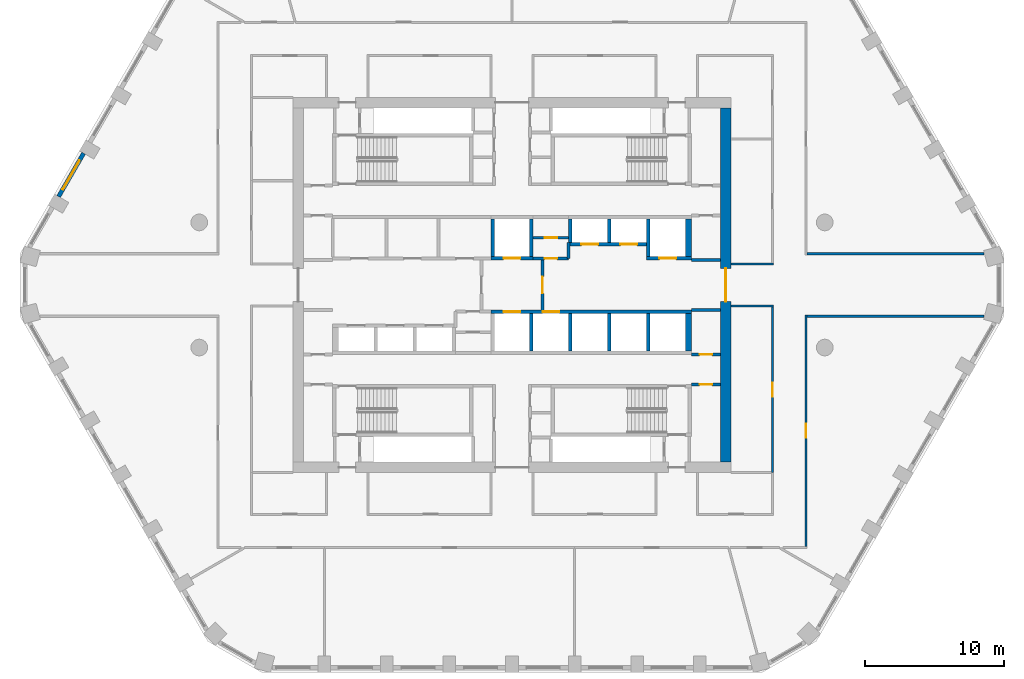
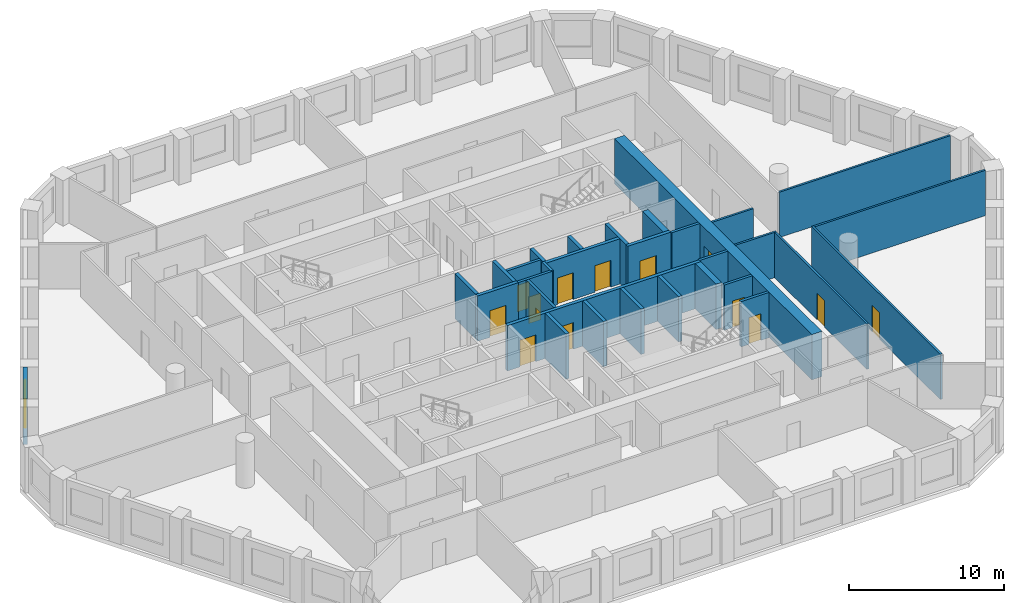
# One storey, part 5 of 10: 31 walls, 14 doors, 1 window, 15 openings.
"""IFC4 building model written with IfcOpenShell, lengths in metres."""

from ifc_helpers import new_model, si_unit, direction, frame, frame_2d, origin, place, context, subcontext, project, spatial, polyline, rectangle, outline, extrude, material, layer, layer_set, type_object, element, fill, save


model = new_model("IFC4")

# Units and contexts
model_context = context("Model", 3, precision=1e-05, world=origin(), true_north=direction((0.0, 1.0)))
body_context = subcontext(model_context, "Body", "Model", "MODEL_VIEW")
ifc_project = project(units=[si_unit("LENGTHUNIT", "METRE"), si_unit("AREAUNIT", "SQUARE_METRE"), si_unit("VOLUMEUNIT", "CUBIC_METRE"), si_unit("PLANEANGLEUNIT", "RADIAN"), si_unit("MASSUNIT", "GRAM", prefix="KILO")], contexts=[model_context])

# Site, building, storey
site_placement = place(None, origin())
site = spatial("IfcSite", under=ifc_project, at=site_placement, CompositionType="ELEMENT")
building_placement = place(site_placement, origin())
building = spatial("IfcBuilding", under=site, at=building_placement, Name="Dhurran Vertical Campus", CompositionType="ELEMENT")
storey_placement = place(building_placement, frame((0.0, 0.0, 144.300048828125)))
storey = spatial("IfcBuildingStorey", under=building, at=storey_placement, Name="L35", CompositionType="ELEMENT", Elevation=144.300048828125)

# Wall, opening, window
ifc_material_1 = material(Name="Precast concrete C50/60", Category="concrete")
ifc_layer_1 = layer(ifc_material_1, 0.300048828125)
ifc_layer_set_1 = layer_set([ifc_layer_1], Name="Precast concrete C50/60")
wall_type_1 = type_object("IfcWallType", Name="Precast spandrel wall 300", PredefinedType="SOLIDWALL", material=ifc_layer_set_1)
wall_1_placement = place(storey_placement, frame((-30.8193359375, 9.47900390625, 0.0), z_axis=(0.0, 0.0, 1.0), x_axis=(-0.500027802648, -0.866009351323, 0.0)))
wall_1 = element("IfcWall", 1, at=wall_1_placement, inside=storey, type_object=wall_type_1, Name="EW1 L35.36", PredefinedType="SOLIDWALL", context=body_context, shape_type="SweptSolid", body=[
    extrude(rectangle(XDim=3.598876953125, YDim=0.300048828125, at=frame_2d((1.79931640625, 0.0))), origin(), (0.0, 0.0, 1.0), 3.574951171875),
])
opening_1_placement = place(wall_1_placement, frame((0.599609375, 0.0, 0.89990234375)))
opening_1 = element("IfcOpeningElement", 2, at=opening_1_placement, cuts=wall_1, Name="Opening WT1", PredefinedType="OPENING", context=body_context, shape_type="SweptSolid", body=[
    extrude(rectangle(XDim=2.39990234375, YDim=2.10009765625, at=frame_2d((1.199951171875, 1.050048828125))), frame((0.0, 0.159912109375, 0.0), z_axis=(0.0, -1.0, 0.0), x_axis=(1.0, 0.0, 0.0)), (0.0, 0.0, 1.0), 0.320068359375),
])
ifc_material_2 = material(Name="Aluminium frame with solar-control glass", Category="aluminium")
window_type = type_object("IfcWindowType", Name="Punched window 2400 x 2100", PartitioningType="SINGLE_PANEL", PredefinedType="WINDOW", material=ifc_material_2)
window_placement = place(opening_1_placement, origin())
window = element("IfcWindow", 3, at=window_placement, inside=storey, type_object=window_type, Name="WT1 L35.36", OverallHeight=2.10009765625, OverallWidth=2.39990234375, PartitioningType="SINGLE_PANEL", PredefinedType="WINDOW", context=body_context, shape_type="SweptSolid", body=[
    extrude(rectangle(XDim=2.39990234375, YDim=2.10009765625, at=frame_2d((1.199951171875, 1.050048828125))), frame((0.0, 0.030029296875, 0.0), z_axis=(0.0, -1.0, 0.0), x_axis=(1.0, 0.0, 0.0)), (0.0, 0.0, 1.0), 0.06005859375),
])
fill(opening_1, window)

# Wall, opening, door
ifc_material_3 = material(Name="Concrete C60/75", Category="concrete")
ifc_layer_2 = layer(ifc_material_3, 0.75)
ifc_layer_set_2 = layer_set([ifc_layer_2], Name="Concrete C60/75")
wall_type_2 = type_object("IfcWallType", Name="co-CORE-WALL-C1-750", PredefinedType="SHEAR", material=ifc_layer_set_2)
wall_2_placement = place(storey_placement, frame((15.375, -12.75, 0.0), z_axis=(0.0, 0.0, 1.0), x_axis=(0.0, 1.0, 0.0)))
wall_2 = element("IfcWall", 4, at=wall_2_placement, inside=storey, type_object=wall_type_2, Name="Core wall E L35", PredefinedType="SHEAR", context=body_context, shape_type="SweptSolid", body=[
    extrude(rectangle(XDim=25.5, YDim=0.75, at=frame_2d((12.75, 0.0))), origin(), (0.0, 0.0, 1.0), 3.574951171875),
])
opening_2_placement = place(wall_2_placement, frame((11.550048828125, 0.0, 0.0)))
opening_2 = element("IfcOpeningElement", 5, at=opening_2_placement, cuts=wall_2, Name="Opening CL2", PredefinedType="OPENING", context=body_context, shape_type="SweptSolid", body=[
    extrude(rectangle(XDim=2.39990234375, YDim=2.10009765625, at=frame_2d((1.199951171875, 1.050048828125))), frame((0.0, 0.385009765625, 0.0), z_axis=(0.0, -1.0, 0.0), x_axis=(1.0, 0.0, 0.0)), (0.0, 0.0, 1.0), 0.77001953125),
])
ifc_material_4 = material(Name="Fire-rated glazed door set")
door_type_1 = type_object("IfcDoorType", Name="co-D-LOBBY 2400x2100", OperationType="DOUBLE_DOOR_DOUBLE_SWING", PredefinedType="DOOR", material=ifc_material_4)
door_1_placement = place(opening_2_placement, origin())
door_1 = element("IfcDoor", 6, at=door_1_placement, inside=storey, type_object=door_type_1, Name="Lift lobby door E L35", OperationType="DOUBLE_DOOR_DOUBLE_SWING", OverallHeight=2.10009765625, OverallWidth=2.39990234375, PredefinedType="DOOR", context=body_context, shape_type="SweptSolid", body=[
    extrude(rectangle(XDim=2.39990234375, YDim=2.10009765625, at=frame_2d((1.199951171875, 1.050048828125))), frame((0.0, 0.02490234375, 0.0), z_axis=(0.0, -1.0, 0.0), x_axis=(1.0, 0.0, 0.0)), (0.0, 0.0, 1.0), 0.050048828125),
])
fill(opening_2, door_1)

ifc_material_5 = material(Name="Fire-rated masonry blockwork", Category="masonry")
ifc_layer_3 = layer(ifc_material_5, 0.199951171875)
ifc_layer_set_3 = layer_set([ifc_layer_3], Name="Fire-rated masonry blockwork")
wall_type_3 = type_object("IfcWallType", Name="co-FIRE-PARTITION-200", PredefinedType="PARTITIONING", material=ifc_layer_set_3)
wall_3_placement = place(storey_placement, frame((2.199951171875, -1.800048828125, 0.0), z_axis=(0.0, 0.0, 1.0), x_axis=(0.0, 1.0, 0.0)))
wall_3 = element("IfcWall", 7, at=wall_3_placement, inside=storey, type_object=wall_type_3, Name="Firefighting lobby wall E L35", PredefinedType="PARTITIONING", context=body_context, shape_type="SweptSolid", body=[
    extrude(rectangle(XDim=3.60009765625, YDim=0.199951171875, at=frame_2d((1.800048828125, 0.0))), origin(), (0.0, 0.0, 1.0), 3.574951171875),
])
opening_3_placement = place(wall_3_placement, frame((1.199951171875, 0.0, 0.0)))
opening_3 = element("IfcOpeningElement", 8, at=opening_3_placement, cuts=wall_3, Name="Opening FL2", PredefinedType="OPENING", context=body_context, shape_type="SweptSolid", body=[
    extrude(rectangle(XDim=1.199951171875, YDim=2.10009765625, at=frame_2d((0.60009765625, 1.050048828125))), frame((0.0, 0.10986328125, 0.0), z_axis=(0.0, -1.0, 0.0), x_axis=(1.0, 0.0, 0.0)), (0.0, 0.0, 1.0), 0.219970703125),
])
ifc_material_6 = material(Name="Fire-rated steel door set", Category="steel")
door_type_2 = type_object("IfcDoorType", Name="co-D-FFLOBBY 1200x2100", OperationType="SINGLE_SWING_LEFT", PredefinedType="DOOR", material=ifc_material_6)
door_2_placement = place(opening_3_placement, origin())
door_2 = element("IfcDoor", 9, at=door_2_placement, inside=storey, type_object=door_type_2, Name="Firefighting lobby door E L35", OperationType="SINGLE_SWING_LEFT", OverallHeight=2.10009765625, OverallWidth=1.199951171875, PredefinedType="DOOR", context=body_context, shape_type="SweptSolid", body=[
    extrude(rectangle(XDim=1.199951171875, YDim=2.10009765625, at=frame_2d((0.60009765625, 1.050048828125))), frame((0.0, 0.02490234375, 0.0), z_axis=(0.0, -1.0, 0.0), x_axis=(1.0, 0.0, 0.0)), (0.0, 0.0, 1.0), 0.050048828125),
])
fill(opening_3, door_2)

# Wall
wall_4_placement = place(storey_placement, frame((12.89990234375, 1.800048828125, 0.0), z_axis=(0.0, 0.0, 1.0), x_axis=(1.0, 0.0, 0.0)))
element("IfcWall", 10, at=wall_4_placement, inside=storey, type_object=wall_type_3, Name="Core partition es-NE-l L35", PredefinedType="PARTITIONING", context=body_context, shape_type="SweptSolid", body=[
    extrude(rectangle(XDim=2.10009765625, YDim=0.199951171875, at=frame_2d((1.050048828125, 0.0))), origin(), (0.0, 0.0, 1.0), 3.574951171875),
])

# Wall, opening, door
wall_5_placement = place(storey_placement, frame((12.89990234375, -7.14990234375, 0.0), z_axis=(0.0, 0.0, 1.0), x_axis=(1.0, 0.0, 0.0)))
wall_5 = element("IfcWall", 11, at=wall_5_placement, inside=storey, type_object=wall_type_3, Name="Core partition en-SE-w L35", PredefinedType="PARTITIONING", context=body_context, shape_type="SweptSolid", body=[
    extrude(rectangle(XDim=2.10009765625, YDim=0.199951171875, at=frame_2d((1.050048828125, 0.0))), origin(), (0.0, 0.0, 1.0), 3.574951171875),
])
opening_4_placement = place(wall_5_placement, frame((0.60009765625, 0.0, 0.0)))
opening_4 = element("IfcOpeningElement", 12, at=opening_4_placement, cuts=wall_5, Name="Opening T10-C21", PredefinedType="OPENING", context=body_context, shape_type="SweptSolid", body=[
    extrude(rectangle(XDim=0.89990234375, YDim=2.10009765625, at=frame_2d((0.449951171875, 1.050048828125))), frame((0.0, 0.10986328125, 0.0), z_axis=(0.0, -1.0, 0.0), x_axis=(1.0, 0.0, 0.0)), (0.0, 0.0, 1.0), 0.219970703125),
])
ifc_material_7 = material(Name="Fire-rated timber door set", Category="wood")
door_type_3 = type_object("IfcDoorType", Name="co-D-ROOM 900x2100", OperationType="SINGLE_SWING_LEFT", PredefinedType="DOOR", material=ifc_material_7)
door_3_placement = place(opening_4_placement, origin())
door_3 = element("IfcDoor", 13, at=door_3_placement, inside=storey, type_object=door_type_3, Name="Plant room door L35", OperationType="SINGLE_SWING_LEFT", OverallHeight=2.10009765625, OverallWidth=0.89990234375, PredefinedType="DOOR", context=body_context, shape_type="SweptSolid", body=[
    extrude(rectangle(XDim=0.89990234375, YDim=2.10009765625, at=frame_2d((0.449951171875, 1.050048828125))), frame((0.0, 0.02490234375, 0.0), z_axis=(0.0, -1.0, 0.0), x_axis=(1.0, 0.0, 0.0)), (0.0, 0.0, 1.0), 0.050048828125),
])
fill(opening_4, door_3)

wall_6_placement = place(storey_placement, frame((12.89990234375, -5.0, 0.0), z_axis=(0.0, 0.0, 1.0), x_axis=(1.0, 0.0, 0.0)))
wall_6 = element("IfcWall", 14, at=wall_6_placement, inside=storey, type_object=wall_type_3, Name="Core partition es-SE-w L35", PredefinedType="PARTITIONING", context=body_context, shape_type="SweptSolid", body=[
    extrude(rectangle(XDim=2.10009765625, YDim=0.199951171875, at=frame_2d((1.050048828125, 0.0))), origin(), (0.0, 0.0, 1.0), 3.574951171875),
])
opening_5_placement = place(wall_6_placement, frame((0.60009765625, 0.0, 0.0)))
opening_5 = element("IfcOpeningElement", 15, at=opening_5_placement, cuts=wall_6, Name="Opening T10-C22", PredefinedType="OPENING", context=body_context, shape_type="SweptSolid", body=[
    extrude(rectangle(XDim=0.89990234375, YDim=2.10009765625, at=frame_2d((0.449951171875, 1.050048828125))), frame((0.0, 0.10986328125, 0.0), z_axis=(0.0, -1.0, 0.0), x_axis=(1.0, 0.0, 0.0)), (0.0, 0.0, 1.0), 0.219970703125),
])
door_4_placement = place(opening_5_placement, origin())
door_4 = element("IfcDoor", 16, at=door_4_placement, inside=storey, type_object=door_type_3, Name="Print room door L35", OperationType="SINGLE_SWING_LEFT", OverallHeight=2.10009765625, OverallWidth=0.89990234375, PredefinedType="DOOR", context=body_context, shape_type="SweptSolid", body=[
    extrude(rectangle(XDim=0.89990234375, YDim=2.10009765625, at=frame_2d((0.449951171875, 1.050048828125))), frame((0.0, 0.02490234375, 0.0), z_axis=(0.0, -1.0, 0.0), x_axis=(1.0, 0.0, 0.0)), (0.0, 0.0, 1.0), 0.050048828125),
])
fill(opening_5, door_4)

# Wall
wall_7_placement = place(storey_placement, frame((12.89990234375, -1.800048828125, 0.0), z_axis=(0.0, 0.0, 1.0), x_axis=(1.0, 0.0, 0.0)))
element("IfcWall", 17, at=wall_7_placement, inside=storey, type_object=wall_type_3, Name="Core partition es-SE-l L35", PredefinedType="PARTITIONING", context=body_context, shape_type="SweptSolid", body=[
    extrude(rectangle(XDim=2.10009765625, YDim=0.199951171875, at=frame_2d((1.050048828125, 0.0))), origin(), (0.0, 0.0, 1.0), 3.574951171875),
])

# Wall, opening, door
wall_8_placement = place(storey_placement, frame((1.52490234375, 3.39990234375, 0.0), z_axis=(0.0, 0.0, 1.0), x_axis=(1.0, 0.0, 0.0)))
wall_8 = element("IfcWall", 18, at=wall_8_placement, inside=storey, type_object=wall_type_3, Name="Core partition fr-N1-c L35", PredefinedType="PARTITIONING", context=body_context, shape_type="SweptSolid", body=[
    extrude(rectangle(XDim=2.550048828125, YDim=0.199951171875, at=frame_2d((1.27490234375, 0.0))), origin(), (0.0, 0.0, 1.0), 3.574951171875),
])
opening_6_placement = place(wall_8_placement, frame((0.824951171875, 0.0, 0.0)))
opening_6 = element("IfcOpeningElement", 19, at=opening_6_placement, cuts=wall_8, Name="Opening T10-C26", PredefinedType="OPENING", context=body_context, shape_type="SweptSolid", body=[
    extrude(rectangle(XDim=0.89990234375, YDim=2.10009765625, at=frame_2d((0.449951171875, 1.050048828125))), frame((0.0, 0.10986328125, 0.0), z_axis=(0.0, -1.0, 0.0), x_axis=(1.0, 0.0, 0.0)), (0.0, 0.0, 1.0), 0.219970703125),
])
door_5_placement = place(opening_6_placement, origin())
door_5 = element("IfcDoor", 20, at=door_5_placement, inside=storey, type_object=door_type_3, Name="Housekeeping store door L35", OperationType="SINGLE_SWING_LEFT", OverallHeight=2.10009765625, OverallWidth=0.89990234375, PredefinedType="DOOR", context=body_context, shape_type="SweptSolid", body=[
    extrude(rectangle(XDim=0.89990234375, YDim=2.10009765625, at=frame_2d((0.449951171875, 1.050048828125))), frame((0.0, 0.02490234375, 0.0), z_axis=(0.0, -1.0, 0.0), x_axis=(1.0, 0.0, 0.0)), (0.0, 0.0, 1.0), 0.050048828125),
])
fill(opening_6, door_5)

wall_9_placement = place(storey_placement, frame((1.52490234375, 1.89990234375, 0.0), z_axis=(0.0, 0.0, 1.0), x_axis=(1.0, 0.0, 0.0)))
wall_9 = element("IfcWall", 21, at=wall_9_placement, inside=storey, type_object=wall_type_3, Name="Core partition fr-N1-f L35", PredefinedType="PARTITIONING", context=body_context, shape_type="SweptSolid", body=[
    extrude(rectangle(XDim=2.550048828125, YDim=0.199951171875, at=frame_2d((1.27490234375, 0.0))), origin(), (0.0, 0.0, 1.0), 3.574951171875),
])
opening_7_placement = place(wall_9_placement, frame((0.824951171875, 0.0, 0.0)))
opening_7 = element("IfcOpeningElement", 22, at=opening_7_placement, cuts=wall_9, Name="Opening T10-C27", PredefinedType="OPENING", context=body_context, shape_type="SweptSolid", body=[
    extrude(rectangle(XDim=0.89990234375, YDim=2.10009765625, at=frame_2d((0.449951171875, 1.050048828125))), frame((0.0, 0.10986328125, 0.0), z_axis=(0.0, -1.0, 0.0), x_axis=(1.0, 0.0, 0.0)), (0.0, 0.0, 1.0), 0.219970703125),
])
door_6_placement = place(opening_7_placement, origin())
door_6 = element("IfcDoor", 23, at=door_6_placement, inside=storey, type_object=door_type_3, Name="Pantry door L35", OperationType="SINGLE_SWING_LEFT", OverallHeight=2.10009765625, OverallWidth=0.89990234375, PredefinedType="DOOR", context=body_context, shape_type="SweptSolid", body=[
    extrude(rectangle(XDim=0.89990234375, YDim=2.10009765625, at=frame_2d((0.449951171875, 1.050048828125))), frame((0.0, 0.02490234375, 0.0), z_axis=(0.0, -1.0, 0.0), x_axis=(1.0, 0.0, 0.0)), (0.0, 0.0, 1.0), 0.050048828125),
])
fill(opening_7, door_6)

# Wall
wall_10_placement = place(storey_placement, frame((4.074951171875, 1.89990234375, 0.0), z_axis=(0.0, 0.0, 1.0), x_axis=(0.0, 1.0, 0.0)))
element("IfcWall", 24, at=wall_10_placement, inside=storey, type_object=wall_type_3, Name="Core partition fr-N1-n1 L35", PredefinedType="PARTITIONING", context=body_context, shape_type="SweptSolid", body=[
    extrude(rectangle(XDim=1.150146484375, YDim=0.199951171875, at=frame_2d((0.5751953125, 0.0))), origin(), (0.0, 0.0, 1.0), 3.574951171875),
])

# Wall, opening, door
ifc_material_8 = material(Name="Concrete C50/60", Category="concrete")
ifc_layer_4 = layer(ifc_material_8, 0.25)
ifc_layer_set_4 = layer_set([ifc_layer_4], Name="Concrete C50/60")
wall_type_4 = type_object("IfcWallType", Name="co-SHAFT-FRONT-250", PredefinedType="SHEAR", material=ifc_layer_set_4)
wall_11_placement = place(storey_placement, frame((-1.52490234375, 1.925048828125, 0.0), z_axis=(0.0, 0.0, 1.0), x_axis=(1.0, 0.0, 0.0)))
wall_11 = element("IfcWall", 25, at=wall_11_placement, inside=storey, type_object=wall_type_4, Name="Lift landing wall N L35", PredefinedType="SHEAR", context=body_context, shape_type="SweptSolid", body=[
    extrude(rectangle(XDim=3.0498046875, YDim=0.25, at=frame_2d((1.52490234375, 0.0))), origin(), (0.0, 0.0, 1.0), 3.574951171875),
])
opening_8_placement = place(wall_11_placement, frame((0.925048828125, 0.0, 0.0)))
opening_8 = element("IfcOpeningElement", 26, at=opening_8_placement, cuts=wall_11, Name="Opening LD", PredefinedType="OPENING", context=body_context, shape_type="SweptSolid", body=[
    extrude(rectangle(XDim=1.199951171875, YDim=2.10009765625, at=frame_2d((0.60009765625, 1.050048828125))), frame((0.0, 0.135009765625, 0.0), z_axis=(0.0, -1.0, 0.0), x_axis=(1.0, 0.0, 0.0)), (0.0, 0.0, 1.0), 0.27001953125),
])
ifc_material_9 = material(Name="Stainless steel landing door", Category="steel")
door_type_4 = type_object("IfcDoorType", Name="co-D-LANDING 1200x2100", OperationType="DOUBLE_DOOR_SLIDING", PredefinedType="DOOR", material=ifc_material_9)
door_7_placement = place(opening_8_placement, origin())
door_7 = element("IfcDoor", 27, at=door_7_placement, inside=storey, type_object=door_type_4, Name="Landing door FF1 L35", OperationType="DOUBLE_DOOR_SLIDING", OverallHeight=2.10009765625, OverallWidth=1.199951171875, PredefinedType="DOOR", context=body_context, shape_type="SweptSolid", body=[
    extrude(rectangle(XDim=1.199951171875, YDim=2.10009765625, at=frame_2d((0.60009765625, 1.050048828125))), frame((0.0, 0.02490234375, 0.0), z_axis=(0.0, -1.0, 0.0), x_axis=(1.0, 0.0, 0.0)), (0.0, 0.0, 1.0), 0.050048828125),
])
fill(opening_8, door_7)

# Wall, openings, doors
wall_12_placement = place(storey_placement, frame((4.074951171875, 2.925048828125, 0.0), z_axis=(0.0, 0.0, 1.0), x_axis=(1.0, 0.0, 0.0)))
wall_12 = element("IfcWall", 28, at=wall_12_placement, inside=storey, type_object=wall_type_4, Name="Lift landing wall N L35", PredefinedType="SHEAR", context=body_context, shape_type="SweptSolid", body=[
    extrude(rectangle(XDim=5.85009765625, YDim=0.25, at=frame_2d((2.925048828125, 0.0))), origin(), (0.0, 0.0, 1.0), 3.574951171875),
])
opening_9_placement = place(wall_12_placement, frame((0.925048828125, 0.0, 0.0)))
opening_9 = element("IfcOpeningElement", 29, at=opening_9_placement, cuts=wall_12, Name="Opening LD", PredefinedType="OPENING", context=body_context, shape_type="SweptSolid", body=[
    extrude(rectangle(XDim=1.199951171875, YDim=2.10009765625, at=frame_2d((0.60009765625, 1.050048828125))), frame((0.0, 0.135009765625, 0.0), z_axis=(0.0, -1.0, 0.0), x_axis=(1.0, 0.0, 0.0)), (0.0, 0.0, 1.0), 0.27001953125),
])
opening_10_placement = place(wall_12_placement, frame((3.72509765625, 0.0, 0.0)))
opening_10 = element("IfcOpeningElement", 30, at=opening_10_placement, cuts=wall_12, Name="Opening LD", PredefinedType="OPENING", context=body_context, shape_type="SweptSolid", body=[
    extrude(rectangle(XDim=1.199951171875, YDim=2.10009765625, at=frame_2d((0.60009765625, 1.050048828125))), frame((0.0, 0.135009765625, 0.0), z_axis=(0.0, -1.0, 0.0), x_axis=(1.0, 0.0, 0.0)), (0.0, 0.0, 1.0), 0.27001953125),
])
door_8_placement = place(opening_9_placement, origin())
door_8 = element("IfcDoor", 31, at=door_8_placement, inside=storey, type_object=door_type_4, Name="Landing door MR1 L35", OperationType="DOUBLE_DOOR_SLIDING", OverallHeight=2.10009765625, OverallWidth=1.199951171875, PredefinedType="DOOR", context=body_context, shape_type="SweptSolid", body=[
    extrude(rectangle(XDim=1.199951171875, YDim=2.10009765625, at=frame_2d((0.60009765625, 1.050048828125))), frame((0.0, 0.02490234375, 0.0), z_axis=(0.0, -1.0, 0.0), x_axis=(1.0, 0.0, 0.0)), (0.0, 0.0, 1.0), 0.050048828125),
])
fill(opening_9, door_8)
door_9_placement = place(opening_10_placement, origin())
door_9 = element("IfcDoor", 32, at=door_9_placement, inside=storey, type_object=door_type_4, Name="Landing door MR2 L35", OperationType="DOUBLE_DOOR_SLIDING", OverallHeight=2.10009765625, OverallWidth=1.199951171875, PredefinedType="DOOR", context=body_context, shape_type="SweptSolid", body=[
    extrude(rectangle(XDim=1.199951171875, YDim=2.10009765625, at=frame_2d((0.60009765625, 1.050048828125))), frame((0.0, 0.02490234375, 0.0), z_axis=(0.0, -1.0, 0.0), x_axis=(1.0, 0.0, 0.0)), (0.0, 0.0, 1.0), 0.050048828125),
])
fill(opening_10, door_9)

# Wall, opening, door
wall_13_placement = place(storey_placement, frame((9.675048828125, 1.925048828125, 0.0), z_axis=(0.0, 0.0, 1.0), x_axis=(1.0, 0.0, 0.0)))
wall_13 = element("IfcWall", 33, at=wall_13_placement, inside=storey, type_object=wall_type_4, Name="Lift landing wall N L35", PredefinedType="SHEAR", context=body_context, shape_type="SweptSolid", body=[
    extrude(rectangle(XDim=3.224853515625, YDim=0.25, at=frame_2d((1.6123046875, 0.0))), origin(), (0.0, 0.0, 1.0), 3.574951171875),
])
opening_11_placement = place(wall_13_placement, frame((0.925048828125, 0.0, 0.0)))
opening_11 = element("IfcOpeningElement", 34, at=opening_11_placement, cuts=wall_13, Name="Opening LD", PredefinedType="OPENING", context=body_context, shape_type="SweptSolid", body=[
    extrude(rectangle(XDim=1.199951171875, YDim=2.10009765625, at=frame_2d((0.60009765625, 1.050048828125))), frame((0.0, 0.135009765625, 0.0), z_axis=(0.0, -1.0, 0.0), x_axis=(1.0, 0.0, 0.0)), (0.0, 0.0, 1.0), 0.27001953125),
])
door_10_placement = place(opening_11_placement, origin())
door_10 = element("IfcDoor", 35, at=door_10_placement, inside=storey, type_object=door_type_4, Name="Landing door SV2 L35", OperationType="DOUBLE_DOOR_SLIDING", OverallHeight=2.10009765625, OverallWidth=1.199951171875, PredefinedType="DOOR", context=body_context, shape_type="SweptSolid", body=[
    extrude(rectangle(XDim=1.199951171875, YDim=2.10009765625, at=frame_2d((0.60009765625, 1.050048828125))), frame((0.0, 0.02490234375, 0.0), z_axis=(0.0, -1.0, 0.0), x_axis=(1.0, 0.0, 0.0)), (0.0, 0.0, 1.0), 0.050048828125),
])
fill(opening_11, door_10)

# Wall, openings, doors
wall_14_placement = place(storey_placement, frame((-1.52490234375, -1.925048828125, 0.0), z_axis=(0.0, 0.0, 1.0), x_axis=(1.0, 0.0, 0.0)))
wall_14 = element("IfcWall", 36, at=wall_14_placement, inside=storey, type_object=wall_type_4, Name="Lift landing wall S L35", PredefinedType="SHEAR", context=body_context, shape_type="SweptSolid", body=[
    extrude(rectangle(XDim=14.4248046875, YDim=0.25, at=frame_2d((7.21240234375, 0.0))), origin(), (0.0, 0.0, 1.0), 3.574951171875),
])
opening_12_placement = place(wall_14_placement, frame((0.925048828125, 0.0, 0.0)))
opening_12 = element("IfcOpeningElement", 37, at=opening_12_placement, cuts=wall_14, Name="Opening LD", PredefinedType="OPENING", context=body_context, shape_type="SweptSolid", body=[
    extrude(rectangle(XDim=1.199951171875, YDim=2.10009765625, at=frame_2d((0.60009765625, 1.050048828125))), frame((0.0, 0.135009765625, 0.0), z_axis=(0.0, -1.0, 0.0), x_axis=(1.0, 0.0, 0.0)), (0.0, 0.0, 1.0), 0.27001953125),
])
opening_13_placement = place(wall_14_placement, frame((3.72509765625, 0.0, 0.0)))
opening_13 = element("IfcOpeningElement", 38, at=opening_13_placement, cuts=wall_14, Name="Opening LD", PredefinedType="OPENING", context=body_context, shape_type="SweptSolid", body=[
    extrude(rectangle(XDim=1.199951171875, YDim=2.10009765625, at=frame_2d((0.60009765625, 1.050048828125))), frame((0.0, 0.135009765625, 0.0), z_axis=(0.0, -1.0, 0.0), x_axis=(1.0, 0.0, 0.0)), (0.0, 0.0, 1.0), 0.27001953125),
])
door_11_placement = place(opening_12_placement, origin())
door_11 = element("IfcDoor", 39, at=door_11_placement, inside=storey, type_object=door_type_4, Name="Landing door FF2 L35", OperationType="DOUBLE_DOOR_SLIDING", OverallHeight=2.10009765625, OverallWidth=1.199951171875, PredefinedType="DOOR", context=body_context, shape_type="SweptSolid", body=[
    extrude(rectangle(XDim=1.199951171875, YDim=2.10009765625, at=frame_2d((0.60009765625, 1.050048828125))), frame((0.0, 0.02490234375, 0.0), z_axis=(0.0, -1.0, 0.0), x_axis=(1.0, 0.0, 0.0)), (0.0, 0.0, 1.0), 0.050048828125),
])
fill(opening_12, door_11)
door_12_placement = place(opening_13_placement, origin())
door_12 = element("IfcDoor", 40, at=door_12_placement, inside=storey, type_object=door_type_4, Name="Landing door SV1 L35", OperationType="DOUBLE_DOOR_SLIDING", OverallHeight=2.10009765625, OverallWidth=1.199951171875, PredefinedType="DOOR", context=body_context, shape_type="SweptSolid", body=[
    extrude(rectangle(XDim=1.199951171875, YDim=2.10009765625, at=frame_2d((0.60009765625, 1.050048828125))), frame((0.0, 0.02490234375, 0.0), z_axis=(0.0, -1.0, 0.0), x_axis=(1.0, 0.0, 0.0)), (0.0, 0.0, 1.0), 0.050048828125),
])
fill(opening_13, door_12)

# Walls
ifc_material_10 = material(Name="Concrete C50/60", Category="concrete")
ifc_layer_5 = layer(ifc_material_10, 0.25)
ifc_layer_set_5 = layer_set([ifc_layer_5], Name="Concrete C50/60")
wall_type_5 = type_object("IfcWallType", Name="co-SHAFT-MASS-250", PredefinedType="SHEAR", material=ifc_layer_set_5)
wall_15_placement = place(storey_placement, origin())
element("IfcWall", 41, at=wall_15_placement, inside=storey, type_object=wall_type_5, Name="Lift shaft wall N L35 3", PredefinedType="SHEAR", context=body_context, shape_type="SweptSolid", body=[
    extrude(outline(polyline([(-1.52490234375, 2.050048828125), (-1.27490234375, 2.050048828125), (-1.27490234375, 4.75), (-1.52490234375, 4.75), (-1.52490234375, 2.050048828125)])), origin(), (0.0, 0.0, 1.0), 3.574951171875),
])
wall_16_placement = place(storey_placement, origin())
element("IfcWall", 42, at=wall_16_placement, inside=storey, type_object=wall_type_5, Name="Lift shaft wall N L35 4", PredefinedType="SHEAR", context=body_context, shape_type="SweptSolid", body=[
    extrude(outline(polyline([(1.27490234375, 2.050048828125), (1.52490234375, 2.050048828125), (1.52490234375, 4.75), (1.27490234375, 4.75), (1.27490234375, 2.050048828125)])), origin(), (0.0, 0.0, 1.0), 3.574951171875),
])
wall_17_placement = place(storey_placement, origin())
element("IfcWall", 43, at=wall_17_placement, inside=storey, type_object=wall_type_5, Name="Lift shaft wall N L35 5", PredefinedType="SHEAR", context=body_context, shape_type="SweptSolid", body=[
    extrude(outline(polyline([(9.675048828125, 2.050048828125), (9.925048828125, 2.050048828125), (9.925048828125, 4.75), (9.675048828125, 4.75), (9.675048828125, 2.050048828125)])), origin(), (0.0, 0.0, 1.0), 3.574951171875),
])
wall_18_placement = place(storey_placement, origin())
element("IfcWall", 44, at=wall_18_placement, inside=storey, type_object=wall_type_5, Name="Lift shaft wall N L35 6", PredefinedType="SHEAR", context=body_context, shape_type="SweptSolid", body=[
    extrude(outline(polyline([(12.47509765625, 2.050048828125), (12.89990234375, 2.050048828125), (12.89990234375, 4.75), (12.47509765625, 4.75), (12.47509765625, 2.050048828125)])), origin(), (0.0, 0.0, 1.0), 3.574951171875),
])
wall_19_placement = place(storey_placement, origin())
element("IfcWall", 45, at=wall_19_placement, inside=storey, type_object=wall_type_5, Name="Lift shaft wall N L35 7", PredefinedType="SHEAR", context=body_context, shape_type="SweptSolid", body=[
    extrude(outline(polyline([(4.074951171875, 3.050048828125), (4.324951171875, 3.050048828125), (4.324951171875, 4.75), (4.074951171875, 4.75), (4.074951171875, 3.050048828125)])), origin(), (0.0, 0.0, 1.0), 3.574951171875),
])
wall_20_placement = place(storey_placement, origin())
element("IfcWall", 46, at=wall_20_placement, inside=storey, type_object=wall_type_5, Name="Lift shaft wall N L35 8", PredefinedType="SHEAR", context=body_context, shape_type="SweptSolid", body=[
    extrude(outline(polyline([(6.875, 3.050048828125), (7.125, 3.050048828125), (7.125, 4.75), (6.875, 4.75), (6.875, 3.050048828125)])), origin(), (0.0, 0.0, 1.0), 3.574951171875),
])
wall_21_placement = place(storey_placement, origin())
element("IfcWall", 47, at=wall_21_placement, inside=storey, type_object=wall_type_5, Name="Lift shaft wall S L35 8", PredefinedType="SHEAR", context=body_context, shape_type="SweptSolid", body=[
    extrude(outline(polyline([(1.27490234375, -4.75), (1.52490234375, -4.75), (1.52490234375, -2.050048828125), (1.27490234375, -2.050048828125), (1.27490234375, -4.75)])), origin(), (0.0, 0.0, 1.0), 3.574951171875),
])
wall_22_placement = place(storey_placement, origin())
element("IfcWall", 48, at=wall_22_placement, inside=storey, type_object=wall_type_5, Name="Lift shaft wall S L35 9", PredefinedType="SHEAR", context=body_context, shape_type="SweptSolid", body=[
    extrude(outline(polyline([(4.074951171875, -4.75), (4.324951171875, -4.75), (4.324951171875, -2.050048828125), (4.074951171875, -2.050048828125), (4.074951171875, -4.75)])), origin(), (0.0, 0.0, 1.0), 3.574951171875),
])
wall_23_placement = place(storey_placement, origin())
element("IfcWall", 49, at=wall_23_placement, inside=storey, type_object=wall_type_5, Name="Lift shaft wall S L35 10", PredefinedType="SHEAR", context=body_context, shape_type="SweptSolid", body=[
    extrude(outline(polyline([(6.875, -4.75), (7.125, -4.75), (7.125, -2.050048828125), (6.875, -2.050048828125), (6.875, -4.75)])), origin(), (0.0, 0.0, 1.0), 3.574951171875),
])
wall_24_placement = place(storey_placement, origin())
element("IfcWall", 50, at=wall_24_placement, inside=storey, type_object=wall_type_5, Name="Lift shaft wall S L35 11", PredefinedType="SHEAR", context=body_context, shape_type="SweptSolid", body=[
    extrude(outline(polyline([(9.675048828125, -4.75), (9.925048828125, -4.75), (9.925048828125, -2.050048828125), (9.675048828125, -2.050048828125), (9.675048828125, -4.75)])), origin(), (0.0, 0.0, 1.0), 3.574951171875),
])
wall_25_placement = place(storey_placement, origin())
element("IfcWall", 51, at=wall_25_placement, inside=storey, type_object=wall_type_5, Name="Lift shaft wall S L35 12", PredefinedType="SHEAR", context=body_context, shape_type="SweptSolid", body=[
    extrude(outline(polyline([(12.47509765625, -4.75), (12.89990234375, -4.75), (12.89990234375, -2.050048828125), (12.47509765625, -2.050048828125), (12.47509765625, -4.75)])), origin(), (0.0, 0.0, 1.0), 3.574951171875),
])
ifc_material_11 = material(Name="Gypsum board corridor wall on steel studs", Category="steel")
ifc_layer_6 = layer(ifc_material_11, 0.14990234375)
ifc_layer_set_6 = layer_set([ifc_layer_6], Name="Gypsum board corridor wall on steel studs")
wall_type_6 = type_object("IfcWallType", Name="fl-CW-150 corridor wall", PredefinedType="PARTITIONING", material=ifc_layer_set_6)
for number, where, z_axis, x_axis, name in (
    (52, (15.75, -1.5, 0.0), (0.0, 0.0, 1.0), (1.0, 0.0, 0.0), "Partition 35-54"),
    (53, (18.824951171875, 1.5, 0.0), (0.0, 0.0, 1.0), (-1.0, 0.0, 0.0), "Partition 35-55"),
):
    element("IfcWall", number, at=place(storey_placement, frame(where, z_axis=z_axis, x_axis=x_axis)), inside=storey, type_object=wall_type_6, Name=name, PredefinedType="PARTITIONING", context=body_context, shape_type="SweptSolid", body=[
        extrude(rectangle(XDim=3.074951171875, YDim=0.14990234375, at=frame_2d((1.53759765625, 0.0))), origin(), (0.0, 0.0, 1.0), 3.574951171875),
    ])

# Wall, opening, door
wall_26_placement = place(storey_placement, frame((18.75, -1.574951171875, 0.0), z_axis=(0.0, 0.0, 1.0), x_axis=(0.0, -1.0, 0.0)))
wall_26 = element("IfcWall", 54, at=wall_26_placement, inside=storey, type_object=wall_type_6, Name="Partition 35-58", PredefinedType="PARTITIONING", context=body_context, shape_type="SweptSolid", body=[
    extrude(rectangle(XDim=11.925048828125, YDim=0.14990234375, at=frame_2d((5.96240234375, 0.0))), origin(), (0.0, 0.0, 1.0), 3.574951171875),
])
opening_14_placement = place(wall_26_placement, frame((5.46240234375, 0.0, 0.0)))
opening_14 = element("IfcOpeningElement", 55, at=opening_14_placement, cuts=wall_26, Name="Opening T10.20", PredefinedType="OPENING", context=body_context, shape_type="SweptSolid", body=[
    extrude(rectangle(XDim=1.0, YDim=2.10009765625, at=frame_2d((0.5, 1.050048828125))), frame((0.0, 0.0849609375, 0.0), z_axis=(0.0, -1.0, 0.0), x_axis=(1.0, 0.0, 0.0)), (0.0, 0.0, 1.0), 0.169921875),
])
ifc_material_12 = material(Name="Solid-core timber door set, fire-rated", Category="wood")
door_type_5 = type_object("IfcDoorType", Name="fl-D-1000x2100", OperationType="SINGLE_SWING_LEFT", PredefinedType="DOOR", material=ifc_material_12)
door_13_placement = place(opening_14_placement, origin())
door_13 = element("IfcDoor", 56, at=door_13_placement, inside=storey, type_object=door_type_5, Name="Door 35.20", OperationType="SINGLE_SWING_LEFT", OverallHeight=2.10009765625, OverallWidth=1.0, PredefinedType="DOOR", context=body_context, shape_type="SweptSolid", body=[
    extrude(rectangle(XDim=1.0, YDim=2.10009765625, at=frame_2d((0.5, 1.050048828125))), frame((0.0, 0.02490234375, 0.0), z_axis=(0.0, -1.0, 0.0), x_axis=(1.0, 0.0, 0.0)), (0.0, 0.0, 1.0), 0.050048828125),
])
fill(opening_14, door_13)

wall_27_placement = place(storey_placement, frame((21.14990234375, -18.824951171875, 0.0), z_axis=(0.0, 0.0, 1.0), x_axis=(0.0, 1.0, 0.0)))
wall_27 = element("IfcWall", 57, at=wall_27_placement, inside=storey, type_object=wall_type_6, Name="Partition 35-63", PredefinedType="PARTITIONING", context=body_context, shape_type="SweptSolid", body=[
    extrude(rectangle(XDim=16.64990234375, YDim=0.14990234375, at=frame_2d((8.324951171875, 0.0))), origin(), (0.0, 0.0, 1.0), 3.574951171875),
])
opening_15_placement = place(wall_27_placement, frame((7.824951171875, 0.0, 0.0)))
opening_15 = element("IfcOpeningElement", 58, at=opening_15_placement, cuts=wall_27, Name="Opening T10.24", PredefinedType="OPENING", context=body_context, shape_type="SweptSolid", body=[
    extrude(rectangle(XDim=1.0, YDim=2.10009765625, at=frame_2d((0.5, 1.050048828125))), frame((0.0, 0.0849609375, 0.0), z_axis=(0.0, -1.0, 0.0), x_axis=(1.0, 0.0, 0.0)), (0.0, 0.0, 1.0), 0.169921875),
])
door_14_placement = place(opening_15_placement, origin())
door_14 = element("IfcDoor", 59, at=door_14_placement, inside=storey, type_object=door_type_5, Name="Door 35.24", OperationType="SINGLE_SWING_RIGHT", OverallHeight=2.10009765625, OverallWidth=1.0, PredefinedType="DOOR", context=body_context, shape_type="SweptSolid", body=[
    extrude(rectangle(XDim=1.0, YDim=2.10009765625, at=frame_2d((0.5, 1.050048828125))), frame((0.0, 0.02490234375, 0.0), z_axis=(0.0, -1.0, 0.0), x_axis=(1.0, 0.0, 0.0)), (0.0, 0.0, 1.0), 0.050048828125),
])
fill(opening_15, door_14)

# Walls
for number, where, z_axis, x_axis, name in (
    (60, (33.9677734375, -2.25, 0.0), (0.0, 0.0, 1.0), (-1.0, 0.0, 0.0), "Partition 35-64"),
    (61, (21.22509765625, 2.25, 0.0), (0.0, 0.0, 1.0), (1.0, 0.0, 0.0), "Partition 35-66"),
):
    element("IfcWall", number, at=place(storey_placement, frame(where, z_axis=z_axis, x_axis=x_axis)), inside=storey, type_object=wall_type_6, Name=name, PredefinedType="PARTITIONING", context=body_context, shape_type="SweptSolid", body=[
        extrude(rectangle(XDim=12.74267578125, YDim=0.14990234375, at=frame_2d((6.371337890625, 0.0))), origin(), (0.0, 0.0, 1.0), 3.574951171875),
    ])

save(model, "model.ifc")
